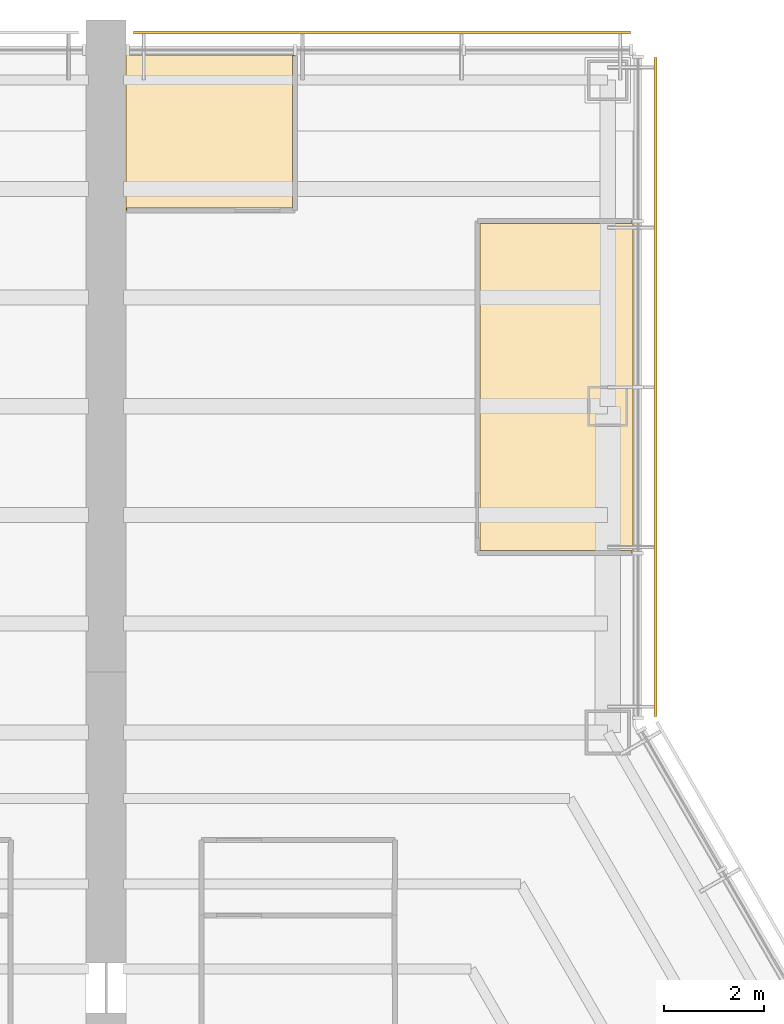
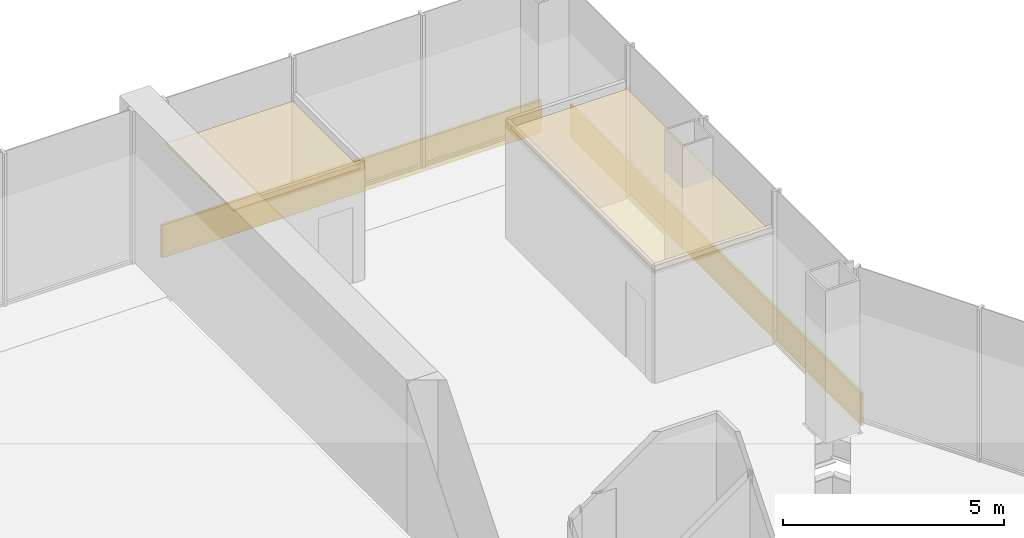
# One storey, part 17 of 18: 2 coverings, 2 shading devices.
"""IFC4 building model written with IfcOpenShell, lengths in metres."""

from ifc_helpers import new_model, si_unit, direction, frame, origin, origin_2d, place, context, subcontext, project, spatial, polyline, rectangle, outline, extrude, material, layer, layer_set, type_object, element, save


model = new_model("IFC4")

# Units and contexts
model_context = context("Model", 3, precision=1e-05, world=origin(), true_north=direction((0.0, 1.0)))
body_context = subcontext(model_context, "Body", "Model", "MODEL_VIEW")
ifc_project = project(units=[si_unit("LENGTHUNIT", "METRE"), si_unit("AREAUNIT", "SQUARE_METRE"), si_unit("VOLUMEUNIT", "CUBIC_METRE"), si_unit("PLANEANGLEUNIT", "RADIAN"), si_unit("MASSUNIT", "GRAM", prefix="KILO")], contexts=[model_context])

# Site, building, storey
site_placement = place(None, origin())
site = spatial("IfcSite", under=ifc_project, at=site_placement, CompositionType="ELEMENT")
building_placement = place(site_placement, origin())
building = spatial("IfcBuilding", under=site, at=building_placement, Name="Kasaneha Research Tower", CompositionType="ELEMENT")
storey_placement = place(building_placement, frame((0.0, 0.0, 57.0)))
storey = spatial("IfcBuildingStorey", under=building, at=storey_placement, Name="L14", CompositionType="ELEMENT", Elevation=57.0)

# Coverings
ifc_material_1 = material(Name="Perforated aluminium acoustic ceiling", Category="aluminium")
ifc_layer_1 = layer(ifc_material_1, 0.030029296875)
ifc_layer_set_1 = layer_set([ifc_layer_1], Name="Acoustic ceiling 30")
covering_type = type_object("IfcCoveringType", Name="Acoustic ceiling 30", PredefinedType="CEILING", material=ifc_layer_set_1)
covering_1_placement = place(storey_placement, frame((0.0, 0.0, 3.0)))
element("IfcCovering", 1, at=covering_1_placement, inside=storey, type_object=covering_type, Name="Ceiling L14-32", PredefinedType="CEILING", context=body_context, shape_type="SweptSolid", body=[
    extrude(outline(polyline([(10.5, 20.89111328125), (10.469970703125, 20.89111328125), (10.469970703125, 20.941162109375), (7.449951171875, 20.941162109375), (7.449951171875, 27.460693359375), (10.469970703125, 27.460693359375), (10.469970703125, 27.5107421875), (10.5, 27.5107421875), (10.5, 20.89111328125)])), origin(), (0.0, 0.0, 1.0), 0.030029296875),
])
covering_2_placement = place(storey_placement, frame((0.0, 0.0, 3.0)))
element("IfcCovering", 2, at=covering_2_placement, inside=storey, type_object=covering_type, Name="Ceiling L14-33", PredefinedType="CEILING", context=body_context, shape_type="SweptSolid", body=[
    extrude(outline(polyline([(3.7666015625, 30.820556640625), (3.7666015625, 30.800537109375), (3.716796875, 30.800537109375), (3.716796875, 27.7705078125), (0.419921875, 27.7705078125), (0.419921875, 27.720458984375), (0.39990234375, 27.720458984375), (0.39990234375, 30.820556640625), (3.7666015625, 30.820556640625)])), origin(), (0.0, 0.0, 1.0), 0.030029296875),
])

# Shading devices
ifc_material_2 = material(Name="Terracotta", Category="masonry")
ifc_layer_2 = layer(ifc_material_2, 0.06005859375)
ifc_layer_set_2 = layer_set([ifc_layer_2], Name="Terracotta baguette screen")
shading_device_type = type_object("IfcShadingDeviceType", Name="Terracotta baguette screen", PredefinedType="USERDEFINED", material=ifc_layer_set_2)
shading_device_1_placement = place(storey_placement, frame((10.949951171875, 24.200927734375, -0.449951171875), z_axis=(0.0, 0.0, 1.0), x_axis=(0.0, 1.0, 0.0)))
element("IfcShadingDevice", 3, at=shading_device_1_placement, inside=storey, type_object=shading_device_type, Name="Baguette screen L14 08", ObjectType="TERRACOTTA BAGUETTE SCREEN", PredefinedType="USERDEFINED", context=body_context, shape_type="SweptSolid", body=[
    extrude(rectangle(XDim=13.13916015625, YDim=0.06005859375, at=origin_2d()), origin(), (0.0, 0.0, 1.0), 0.89990234375),
])
shading_device_2_placement = place(storey_placement, frame((5.5, 31.2705078125, -0.449951171875), z_axis=(0.0, 0.0, 1.0), x_axis=(-1.0, 0.0, 0.0)))
element("IfcShadingDevice", 4, at=shading_device_2_placement, inside=storey, type_object=shading_device_type, Name="Baguette screen L14 09", ObjectType="TERRACOTTA BAGUETTE SCREEN", PredefinedType="USERDEFINED", context=body_context, shape_type="SweptSolid", body=[
    extrude(rectangle(XDim=9.89990234375, YDim=0.06005859375, at=origin_2d()), origin(), (0.0, 0.0, 1.0), 0.89990234375),
])

save(model, "model.ifc")
